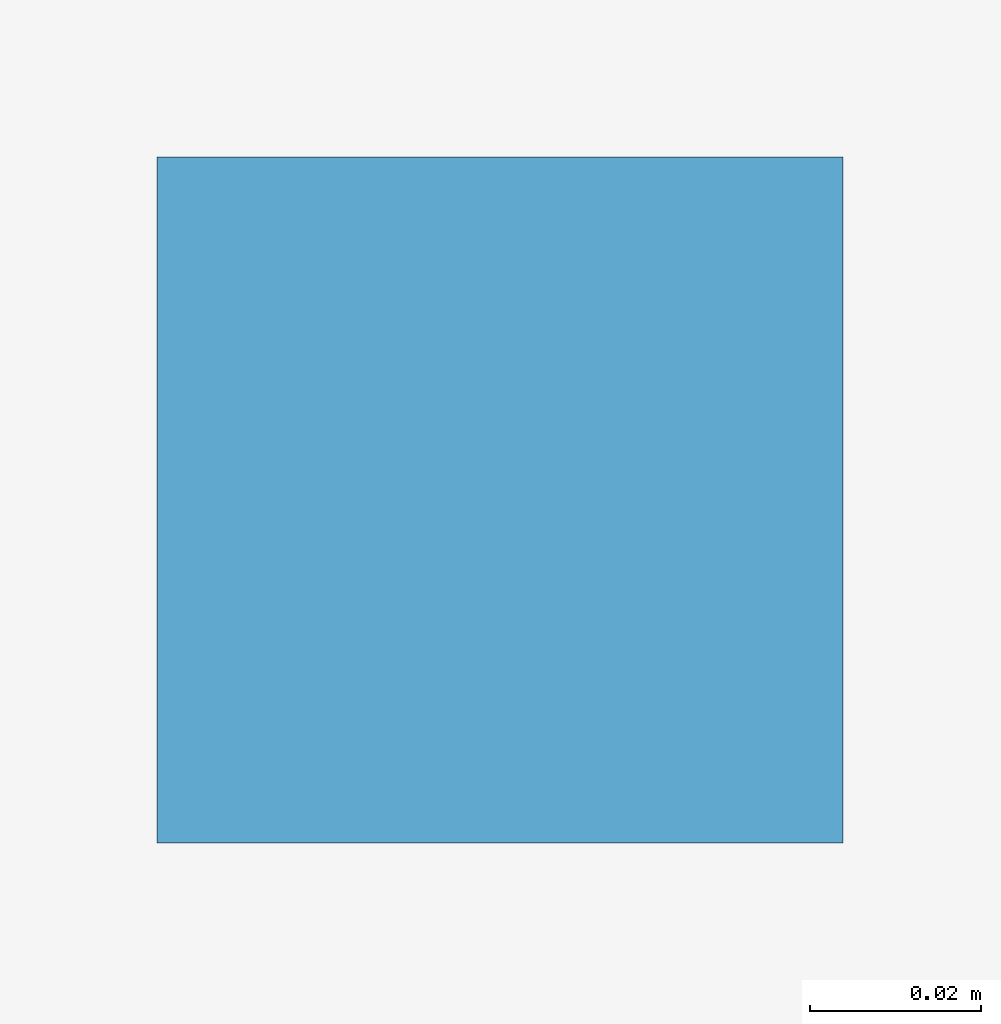
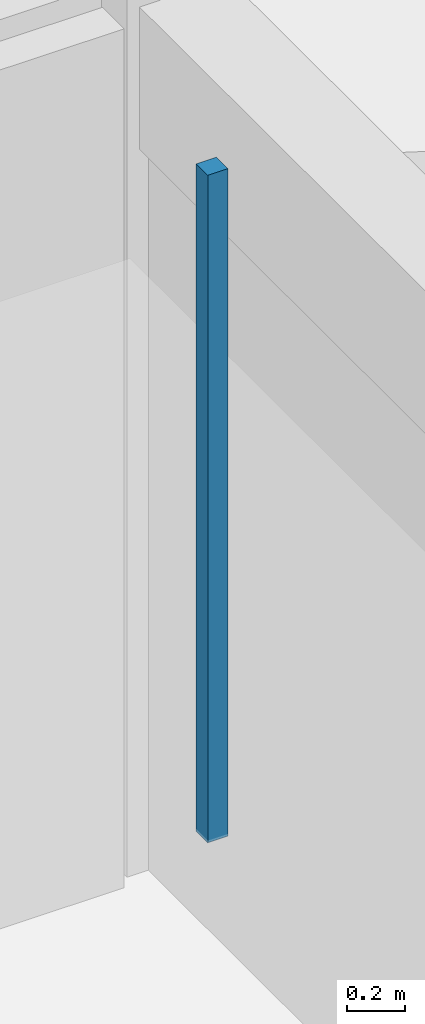
# One storey, part 45 of 54: 1 discrete accessory.
"""IFC4 building model written with IfcOpenShell, lengths in metres."""

from ifc_helpers import new_model, si_unit, direction, frame, origin, origin_2d, place, context, subcontext, project, spatial, rectangle, extrude, material, type_object, element, save


model = new_model("IFC4")

# Units and contexts
model_context = context("Model", 3, precision=1e-05, world=origin(), true_north=direction((0.0, 1.0)))
body_context = subcontext(model_context, "Body", "Model", "MODEL_VIEW")
ifc_project = project(units=[si_unit("LENGTHUNIT", "METRE"), si_unit("AREAUNIT", "SQUARE_METRE"), si_unit("VOLUMEUNIT", "CUBIC_METRE"), si_unit("PLANEANGLEUNIT", "RADIAN"), si_unit("MASSUNIT", "GRAM", prefix="KILO")], contexts=[model_context])

# Site, building, storey
site_placement = place(None, origin())
site = spatial("IfcSite", under=ifc_project, at=site_placement, CompositionType="ELEMENT")
building_placement = place(site_placement, origin())
building = spatial("IfcBuilding", under=site, at=building_placement, Name="Koriwan Promenade Central Fire Station", CompositionType="ELEMENT")
storey_placement = place(building_placement, frame((0.0, 0.0, 9.60009765625)))
storey = spatial("IfcBuildingStorey", under=building, at=storey_placement, Name="L02", CompositionType="ELEMENT", Elevation=9.60009765625)

# Discrete accessory
ifc_material = material(Name="Steel ASTM A572 Grade 50", Category="steel")
discrete_accessory_type = type_object("IfcDiscreteAccessoryType", Name="CeilingHanger_Bracket", PredefinedType="BRACKET", material=ifc_material)
discrete_accessory_placement = place(storey_placement, frame((12.449951171875, 10.60009765625, 2.954833984375), z_axis=(0.0, 0.0, 1.0), x_axis=(1.0, 0.0, 0.0)))
element("IfcDiscreteAccessory", 1, at=discrete_accessory_placement, inside=storey, type_object=discrete_accessory_type, Name="Community First-Aid Classroom acoustic ceiling seismic hanger", PredefinedType="BRACKET", context=body_context, shape_type="SweptSolid", body=[
    extrude(rectangle(XDim=0.080078125, YDim=0.080078125, at=origin_2d()), origin(), (0.0, 0.0, 1.0), 2.8134765625),
])

save(model, "model.ifc")
